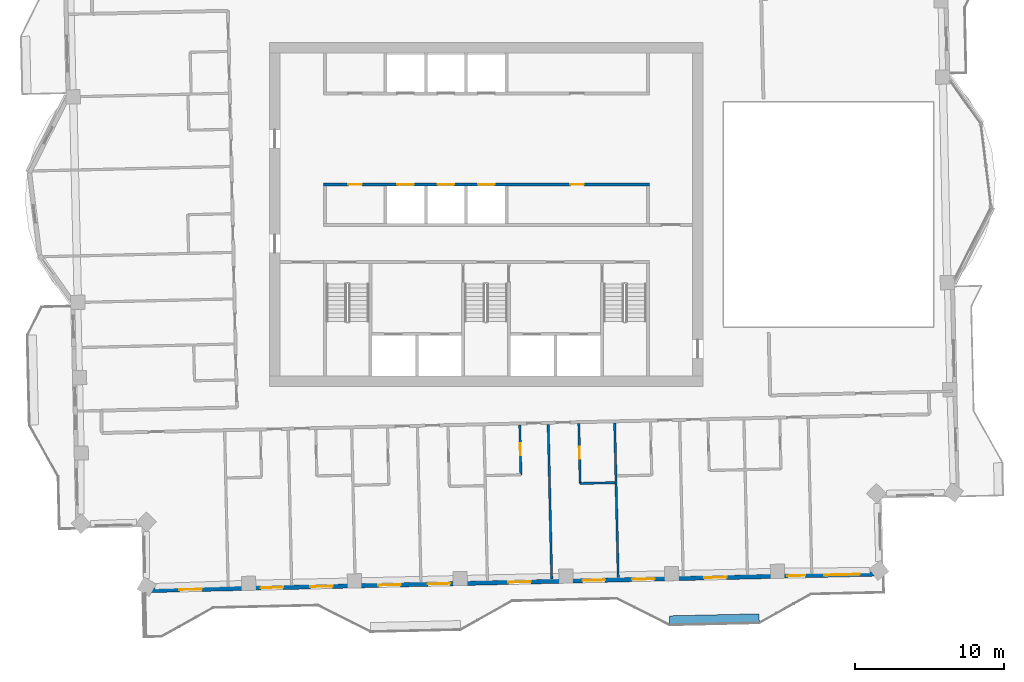
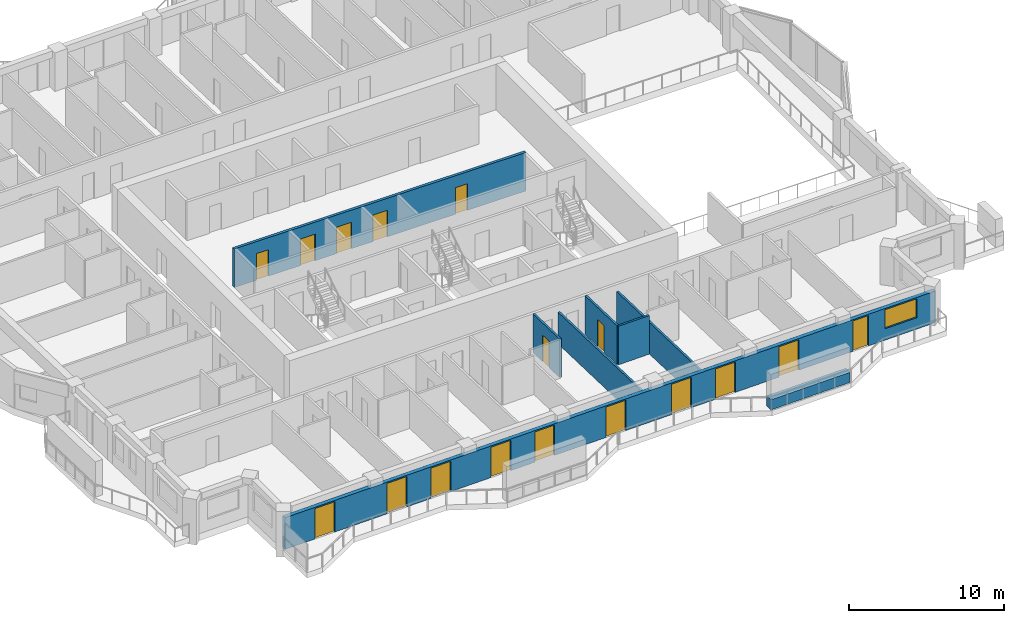
# One storey, part 10 of 20: 17 doors, 8 walls, 1 window, 18 openings.
"""IFC4 building model written with IfcOpenShell, lengths in metres."""

from ifc_helpers import new_model, si_unit, direction, frame, frame_2d, origin, place, context, subcontext, project, spatial, rectangle, extrude, material, layer, layer_set, type_object, element, fill, save


model = new_model("IFC4")

# Units and contexts
model_context = context("Model", 3, precision=1e-05, world=origin(), true_north=direction((0.0, 1.0)))
body_context = subcontext(model_context, "Body", "Model", "MODEL_VIEW")
ifc_project = project(units=[si_unit("LENGTHUNIT", "METRE"), si_unit("AREAUNIT", "SQUARE_METRE"), si_unit("VOLUMEUNIT", "CUBIC_METRE"), si_unit("PLANEANGLEUNIT", "RADIAN"), si_unit("MASSUNIT", "GRAM", prefix="KILO")], contexts=[model_context])

# Site, building, storey
site_placement = place(None, origin())
site = spatial("IfcSite", under=ifc_project, at=site_placement, CompositionType="ELEMENT")
building_placement = place(site_placement, origin())
building = spatial("IfcBuilding", under=site, at=building_placement, Name="Mangrove Gate Tower", CompositionType="ELEMENT")
storey_placement = place(building_placement, frame((0.0, 0.0, 279.89990234375)))
storey = spatial("IfcBuildingStorey", under=building, at=storey_placement, Name="L71", CompositionType="ELEMENT", Elevation=279.89990234375)

# Wall, openings, doors
ifc_material_1 = material(Name="Concrete C50/60", Category="concrete")
ifc_layer_1 = layer(ifc_material_1, 0.199951171875)
ifc_layer_set_1 = layer_set([ifc_layer_1], Name="Core shaft wall 200 C50/60")
wall_type_1 = type_object("IfcWallType", Name="Core shaft wall 200 C50/60", PredefinedType="SHEAR", material=ifc_layer_set_1)
wall_1_placement = place(storey_placement, frame((-10.89990234375, 2.0, 0.0), z_axis=(0.0, 0.0, 1.0), x_axis=(1.0, 0.0, 0.0)))
wall_1 = element("IfcWall", 1, at=wall_1_placement, inside=storey, type_object=wall_type_1, Name="WALL-L71-CORE-7", PredefinedType="SHEAR", context=body_context, shape_type="SweptSolid", body=[
    extrude(rectangle(XDim=21.7998046875, YDim=0.199951171875, at=frame_2d((10.89990234375, 0.0))), origin(), (0.0, 0.0, 1.0), 3.050048828125),
])
opening_1_placement = place(wall_1_placement, frame((4.949951171875, 0.0, 0.0)))
opening_1 = element("IfcOpeningElement", 2, at=opening_1_placement, cuts=wall_1, Name="Opening LD", PredefinedType="OPENING", context=body_context, shape_type="SweptSolid", body=[
    extrude(rectangle(XDim=1.10009765625, YDim=2.10009765625, at=frame_2d((0.550048828125, 1.050048828125))), frame((0.0, 0.10986328125, 0.0), z_axis=(0.0, -1.0, 0.0), x_axis=(1.0, 0.0, 0.0)), (0.0, 0.0, 1.0), 0.219970703125),
])
opening_2_placement = place(wall_1_placement, frame((7.64990234375, 0.0, 0.0)))
opening_2 = element("IfcOpeningElement", 3, at=opening_2_placement, cuts=wall_1, Name="Opening LD", PredefinedType="OPENING", context=body_context, shape_type="SweptSolid", body=[
    extrude(rectangle(XDim=1.10009765625, YDim=2.10009765625, at=frame_2d((0.550048828125, 1.050048828125))), frame((0.0, 0.10986328125, 0.0), z_axis=(0.0, -1.0, 0.0), x_axis=(1.0, 0.0, 0.0)), (0.0, 0.0, 1.0), 0.219970703125),
])
opening_3_placement = place(wall_1_placement, frame((10.35009765625, 0.0, 0.0)))
opening_3 = element("IfcOpeningElement", 4, at=opening_3_placement, cuts=wall_1, Name="Opening LD", PredefinedType="OPENING", context=body_context, shape_type="SweptSolid", body=[
    extrude(rectangle(XDim=1.10009765625, YDim=2.10009765625, at=frame_2d((0.550048828125, 1.050048828125))), frame((0.0, 0.10986328125, 0.0), z_axis=(0.0, -1.0, 0.0), x_axis=(1.0, 0.0, 0.0)), (0.0, 0.0, 1.0), 0.219970703125),
])
opening_4_placement = place(wall_1_placement, frame((1.675048828125, 0.0, 0.0)))
opening_4 = element("IfcOpeningElement", 5, at=opening_4_placement, cuts=wall_1, Name="Opening KD", PredefinedType="OPENING", context=body_context, shape_type="SweptSolid", body=[
    extrude(rectangle(XDim=0.89990234375, YDim=2.10009765625, at=frame_2d((0.449951171875, 1.050048828125))), frame((0.0, 0.10986328125, 0.0), z_axis=(0.0, -1.0, 0.0), x_axis=(1.0, 0.0, 0.0)), (0.0, 0.0, 1.0), 0.219970703125),
])
opening_5_placement = place(wall_1_placement, frame((16.52490234375, 0.0, 0.0)))
opening_5 = element("IfcOpeningElement", 6, at=opening_5_placement, cuts=wall_1, Name="Opening KD", PredefinedType="OPENING", context=body_context, shape_type="SweptSolid", body=[
    extrude(rectangle(XDim=0.89990234375, YDim=2.10009765625, at=frame_2d((0.449951171875, 1.050048828125))), frame((0.0, 0.10986328125, 0.0), z_axis=(0.0, -1.0, 0.0), x_axis=(1.0, 0.0, 0.0)), (0.0, 0.0, 1.0), 0.219970703125),
])
ifc_material_2 = material(Name="Fire-rated steel door set", Category="steel")
door_type_1 = type_object("IfcDoorType", Name="Core room door FD30S 900x2100", OperationType="SINGLE_SWING_RIGHT", PredefinedType="DOOR", material=ifc_material_2)
door_1_placement = place(opening_4_placement, origin())
door_1 = element("IfcDoor", 7, at=door_1_placement, inside=storey, type_object=door_type_1, Name="Core room door Pantry store", OperationType="SINGLE_SWING_RIGHT", OverallHeight=2.10009765625, OverallWidth=0.89990234375, PredefinedType="DOOR", context=body_context, shape_type="SweptSolid", body=[
    extrude(rectangle(XDim=0.89990234375, YDim=2.10009765625, at=frame_2d((0.449951171875, 1.050048828125))), frame((0.0, 0.02490234375, 0.0), z_axis=(0.0, -1.0, 0.0), x_axis=(1.0, 0.0, 0.0)), (0.0, 0.0, 1.0), 0.050048828125),
])
fill(opening_4, door_1)
door_2_placement = place(opening_5_placement, origin())
door_2 = element("IfcDoor", 8, at=door_2_placement, inside=storey, type_object=door_type_1, Name="Core room door Cleaner's store", OperationType="SINGLE_SWING_RIGHT", OverallHeight=2.10009765625, OverallWidth=0.89990234375, PredefinedType="DOOR", context=body_context, shape_type="SweptSolid", body=[
    extrude(rectangle(XDim=0.89990234375, YDim=2.10009765625, at=frame_2d((0.449951171875, 1.050048828125))), frame((0.0, 0.02490234375, 0.0), z_axis=(0.0, -1.0, 0.0), x_axis=(1.0, 0.0, 0.0)), (0.0, 0.0, 1.0), 0.050048828125),
])
fill(opening_5, door_2)
ifc_material_3 = material(Name="Stainless steel 316", Category="steel")
door_type_2 = type_object("IfcDoorType", Name="Lift landing door 1100x2100", OperationType="SLIDING_TO_LEFT", PredefinedType="DOOR", material=ifc_material_3)
door_3_placement = place(opening_1_placement, origin())
door_3 = element("IfcDoor", 9, at=door_3_placement, inside=storey, type_object=door_type_2, Name="Landing door LD H01", OperationType="SLIDING_TO_LEFT", OverallHeight=2.10009765625, OverallWidth=1.10009765625, PredefinedType="DOOR", context=body_context, shape_type="SweptSolid", body=[
    extrude(rectangle(XDim=1.10009765625, YDim=2.10009765625, at=frame_2d((0.550048828125, 1.050048828125))), frame((0.0, 0.02490234375, 0.0), z_axis=(0.0, -1.0, 0.0), x_axis=(1.0, 0.0, 0.0)), (0.0, 0.0, 1.0), 0.050048828125),
])
fill(opening_1, door_3)
door_4_placement = place(opening_2_placement, origin())
door_4 = element("IfcDoor", 10, at=door_4_placement, inside=storey, type_object=door_type_2, Name="Landing door LD H02", OperationType="SLIDING_TO_LEFT", OverallHeight=2.10009765625, OverallWidth=1.10009765625, PredefinedType="DOOR", context=body_context, shape_type="SweptSolid", body=[
    extrude(rectangle(XDim=1.10009765625, YDim=2.10009765625, at=frame_2d((0.550048828125, 1.050048828125))), frame((0.0, 0.02490234375, 0.0), z_axis=(0.0, -1.0, 0.0), x_axis=(1.0, 0.0, 0.0)), (0.0, 0.0, 1.0), 0.050048828125),
])
fill(opening_2, door_4)
door_5_placement = place(opening_3_placement, origin())
door_5 = element("IfcDoor", 11, at=door_5_placement, inside=storey, type_object=door_type_2, Name="Landing door LD H03", OperationType="SLIDING_TO_LEFT", OverallHeight=2.10009765625, OverallWidth=1.10009765625, PredefinedType="DOOR", context=body_context, shape_type="SweptSolid", body=[
    extrude(rectangle(XDim=1.10009765625, YDim=2.10009765625, at=frame_2d((0.550048828125, 1.050048828125))), frame((0.0, 0.02490234375, 0.0), z_axis=(0.0, -1.0, 0.0), x_axis=(1.0, 0.0, 0.0)), (0.0, 0.0, 1.0), 0.050048828125),
])
fill(opening_3, door_5)

# Wall, openings, doors, window
ifc_material_4 = material(Name="Limestone", Category="masonry")
ifc_layer_2 = layer(ifc_material_4, 0.0400390625, Name="Limestone cladding")
ifc_material_5 = material(Name="Ventilated air gap")
ifc_layer_3 = layer(ifc_material_5, 0.0400390625, Name="Ventilated cavity")
ifc_material_6 = material(Name="Mineral wool insulation")
ifc_layer_4 = layer(ifc_material_6, 0.06005859375, Name="Insulation")
ifc_material_7 = material(Name="Breather membrane")
ifc_layer_5 = layer(ifc_material_7, 0.001953125, Name="Breather membrane")
ifc_material_8 = material(Name="Concrete C20/25 blockwork", Category="masonry")
ifc_layer_6 = layer(ifc_material_8, 0.14990234375, Name="Blockwork backing wall")
ifc_material_9 = material(Name="Gypsum plaster")
ifc_layer_7 = layer(ifc_material_9, 0.008056640625, Name="Internal plaster")
ifc_layer_set_2 = layer_set([ifc_layer_2, ifc_layer_3, ifc_layer_4, ifc_layer_5, ifc_layer_6, ifc_layer_7], Name="External wall 300 limestone cladding")
wall_type_2 = type_object("IfcWallType", Name="External wall 300 limestone cladding", PredefinedType="SOLIDWALL", material=ifc_layer_set_2)
wall_2_placement = place(storey_placement, frame((-22.81591796875, -25.160888671875, 0.0), z_axis=(0.0, 0.0, 1.0), x_axis=(0.999742646411, 0.022685699159, 0.0)))
wall_2 = element("IfcWall", 12, at=wall_2_placement, inside=storey, type_object=wall_type_2, Name="WALL-L71-S13", PredefinedType="SOLIDWALL", context=body_context, shape_type="SweptSolid", body=[
    extrude(rectangle(XDim=49.235595703125, YDim=0.300048828125, at=frame_2d((24.61767578125, 0.0))), origin(), (0.0, 0.0, 1.0), 2.5),
])
opening_6_placement = place(wall_2_placement, frame((2.277099609375, 0.0, 0.0)))
opening_6 = element("IfcOpeningElement", 13, at=opening_6_placement, cuts=wall_2, Name="Opening BD1", PredefinedType="OPENING", context=body_context, shape_type="SweptSolid", body=[
    extrude(rectangle(XDim=1.5, YDim=2.39990234375, at=frame_2d((0.75, 1.199951171875))), frame((0.0, 0.159912109375, 0.0), z_axis=(0.0, -1.0, 0.0), x_axis=(1.0, 0.0, 0.0)), (0.0, 0.0, 1.0), 0.320068359375),
])
opening_7_placement = place(wall_2_placement, frame((7.72607421875, 0.0, 0.0)))
opening_7 = element("IfcOpeningElement", 14, at=opening_7_placement, cuts=wall_2, Name="Opening BD1", PredefinedType="OPENING", context=body_context, shape_type="SweptSolid", body=[
    extrude(rectangle(XDim=1.5, YDim=2.39990234375, at=frame_2d((0.75, 1.199951171875))), frame((0.0, 0.159912109375, 0.0), z_axis=(0.0, -1.0, 0.0), x_axis=(1.0, 0.0, 0.0)), (0.0, 0.0, 1.0), 0.320068359375),
])
opening_8_placement = place(wall_2_placement, frame((11.0390625, 0.0, 0.0)))
opening_8 = element("IfcOpeningElement", 15, at=opening_8_placement, cuts=wall_2, Name="Opening BD1", PredefinedType="OPENING", context=body_context, shape_type="SweptSolid", body=[
    extrude(rectangle(XDim=1.5, YDim=2.39990234375, at=frame_2d((0.75, 1.199951171875))), frame((0.0, 0.159912109375, 0.0), z_axis=(0.0, -1.0, 0.0), x_axis=(1.0, 0.0, 0.0)), (0.0, 0.0, 1.0), 0.320068359375),
])
opening_9_placement = place(wall_2_placement, frame((15.589111328125, 0.0, 0.0)))
opening_9 = element("IfcOpeningElement", 16, at=opening_9_placement, cuts=wall_2, Name="Opening BD1", PredefinedType="OPENING", context=body_context, shape_type="SweptSolid", body=[
    extrude(rectangle(XDim=1.5, YDim=2.39990234375, at=frame_2d((0.75, 1.199951171875))), frame((0.0, 0.159912109375, 0.0), z_axis=(0.0, -1.0, 0.0), x_axis=(1.0, 0.0, 0.0)), (0.0, 0.0, 1.0), 0.320068359375),
])
opening_10_placement = place(wall_2_placement, frame((18.903076171875, 0.0, 0.0)))
opening_10 = element("IfcOpeningElement", 17, at=opening_10_placement, cuts=wall_2, Name="Opening BD1", PredefinedType="OPENING", context=body_context, shape_type="SweptSolid", body=[
    extrude(rectangle(XDim=1.5, YDim=2.39990234375, at=frame_2d((0.75, 1.199951171875))), frame((0.0, 0.159912109375, 0.0), z_axis=(0.0, -1.0, 0.0), x_axis=(1.0, 0.0, 0.0)), (0.0, 0.0, 1.0), 0.320068359375),
])
opening_11_placement = place(wall_2_placement, frame((24.300048828125, 0.0, 0.0)))
opening_11 = element("IfcOpeningElement", 18, at=opening_11_placement, cuts=wall_2, Name="Opening BD1", PredefinedType="OPENING", context=body_context, shape_type="SweptSolid", body=[
    extrude(rectangle(XDim=1.5, YDim=2.39990234375, at=frame_2d((0.75, 1.199951171875))), frame((0.0, 0.159912109375, 0.0), z_axis=(0.0, -1.0, 0.0), x_axis=(1.0, 0.0, 0.0)), (0.0, 0.0, 1.0), 0.320068359375),
])
opening_12_placement = place(wall_2_placement, frame((29.264892578125, 0.0, 0.0)))
opening_12 = element("IfcOpeningElement", 19, at=opening_12_placement, cuts=wall_2, Name="Opening BD1", PredefinedType="OPENING", context=body_context, shape_type="SweptSolid", body=[
    extrude(rectangle(XDim=1.5, YDim=2.39990234375, at=frame_2d((0.75, 1.199951171875))), frame((0.0, 0.159912109375, 0.0), z_axis=(0.0, -1.0, 0.0), x_axis=(1.0, 0.0, 0.0)), (0.0, 0.0, 1.0), 0.320068359375),
])
opening_13_placement = place(wall_2_placement, frame((32.5791015625, 0.0, 0.0)))
opening_13 = element("IfcOpeningElement", 20, at=opening_13_placement, cuts=wall_2, Name="Opening BD1", PredefinedType="OPENING", context=body_context, shape_type="SweptSolid", body=[
    extrude(rectangle(XDim=1.5, YDim=2.39990234375, at=frame_2d((0.75, 1.199951171875))), frame((0.0, 0.159912109375, 0.0), z_axis=(0.0, -1.0, 0.0), x_axis=(1.0, 0.0, 0.0)), (0.0, 0.0, 1.0), 0.320068359375),
])
opening_14_placement = place(wall_2_placement, frame((37.39990234375, 0.0, 0.0)))
opening_14 = element("IfcOpeningElement", 21, at=opening_14_placement, cuts=wall_2, Name="Opening BD1", PredefinedType="OPENING", context=body_context, shape_type="SweptSolid", body=[
    extrude(rectangle(XDim=1.5, YDim=2.39990234375, at=frame_2d((0.75, 1.199951171875))), frame((0.0, 0.159912109375, 0.0), z_axis=(0.0, -1.0, 0.0), x_axis=(1.0, 0.0, 0.0)), (0.0, 0.0, 1.0), 0.320068359375),
])
opening_15_placement = place(wall_2_placement, frame((42.967041015625, 0.0, 0.0)))
opening_15 = element("IfcOpeningElement", 22, at=opening_15_placement, cuts=wall_2, Name="Opening BD2", PredefinedType="OPENING", context=body_context, shape_type="SweptSolid", body=[
    extrude(rectangle(XDim=1.199951171875, YDim=2.39990234375, at=frame_2d((0.60009765625, 1.199951171875))), frame((0.0, 0.159912109375, 0.0), z_axis=(0.0, -1.0, 0.0), x_axis=(1.0, 0.0, 0.0)), (0.0, 0.0, 1.0), 0.320068359375),
])
opening_16_placement = place(wall_2_placement, frame((45.4208984375, 0.0, 0.89990234375)))
opening_16 = element("IfcOpeningElement", 23, at=opening_16_placement, cuts=wall_2, Name="Opening W2", PredefinedType="OPENING", context=body_context, shape_type="SweptSolid", body=[
    extrude(rectangle(XDim=2.39990234375, YDim=1.5, at=frame_2d((1.199951171875, 0.75))), frame((0.0, 0.159912109375, 0.0), z_axis=(0.0, -1.0, 0.0), x_axis=(1.0, 0.0, 0.0)), (0.0, 0.0, 1.0), 0.320068359375),
])
ifc_material_10 = material(Name="Aluminium frame with laminated clear glass", Category="aluminium")
door_type_3 = type_object("IfcDoorType", Name="Balcony sliding door 1200x2400", OperationType="SLIDING_TO_LEFT", PredefinedType="DOOR", material=ifc_material_10)
door_6_placement = place(opening_15_placement, origin())
door_6 = element("IfcDoor", 24, at=door_6_placement, inside=storey, type_object=door_type_3, Name="DOOR-L71-S13-10", OperationType="SLIDING_TO_LEFT", OverallHeight=2.39990234375, OverallWidth=1.199951171875, PredefinedType="DOOR", context=body_context, shape_type="SweptSolid", body=[
    extrude(rectangle(XDim=1.199951171875, YDim=2.39990234375, at=frame_2d((0.60009765625, 1.199951171875))), frame((0.0, 0.02490234375, 0.0), z_axis=(0.0, -1.0, 0.0), x_axis=(1.0, 0.0, 0.0)), (0.0, 0.0, 1.0), 0.050048828125),
])
fill(opening_15, door_6)
ifc_material_11 = material(Name="Aluminium frame with laminated clear glass", Category="aluminium")
door_type_4 = type_object("IfcDoorType", Name="Balcony sliding door 1500x2400", OperationType="SLIDING_TO_LEFT", PredefinedType="DOOR", material=ifc_material_11)
door_7_placement = place(opening_6_placement, origin())
door_7 = element("IfcDoor", 25, at=door_7_placement, inside=storey, type_object=door_type_4, Name="DOOR-L71-S13-1", OperationType="SLIDING_TO_LEFT", OverallHeight=2.39990234375, OverallWidth=1.5, PredefinedType="DOOR", context=body_context, shape_type="SweptSolid", body=[
    extrude(rectangle(XDim=1.5, YDim=2.39990234375, at=frame_2d((0.75, 1.199951171875))), frame((0.0, 0.02490234375, 0.0), z_axis=(0.0, -1.0, 0.0), x_axis=(1.0, 0.0, 0.0)), (0.0, 0.0, 1.0), 0.050048828125),
])
fill(opening_6, door_7)
door_8_placement = place(opening_7_placement, origin())
door_8 = element("IfcDoor", 26, at=door_8_placement, inside=storey, type_object=door_type_4, Name="DOOR-L71-S13-2", OperationType="SLIDING_TO_LEFT", OverallHeight=2.39990234375, OverallWidth=1.5, PredefinedType="DOOR", context=body_context, shape_type="SweptSolid", body=[
    extrude(rectangle(XDim=1.5, YDim=2.39990234375, at=frame_2d((0.75, 1.199951171875))), frame((0.0, 0.02490234375, 0.0), z_axis=(0.0, -1.0, 0.0), x_axis=(1.0, 0.0, 0.0)), (0.0, 0.0, 1.0), 0.050048828125),
])
fill(opening_7, door_8)
door_9_placement = place(opening_8_placement, origin())
door_9 = element("IfcDoor", 27, at=door_9_placement, inside=storey, type_object=door_type_4, Name="DOOR-L71-S13-3", OperationType="SLIDING_TO_LEFT", OverallHeight=2.39990234375, OverallWidth=1.5, PredefinedType="DOOR", context=body_context, shape_type="SweptSolid", body=[
    extrude(rectangle(XDim=1.5, YDim=2.39990234375, at=frame_2d((0.75, 1.199951171875))), frame((0.0, 0.02490234375, 0.0), z_axis=(0.0, -1.0, 0.0), x_axis=(1.0, 0.0, 0.0)), (0.0, 0.0, 1.0), 0.050048828125),
])
fill(opening_8, door_9)
door_10_placement = place(opening_9_placement, origin())
door_10 = element("IfcDoor", 28, at=door_10_placement, inside=storey, type_object=door_type_4, Name="DOOR-L71-S13-4", OperationType="SLIDING_TO_LEFT", OverallHeight=2.39990234375, OverallWidth=1.5, PredefinedType="DOOR", context=body_context, shape_type="SweptSolid", body=[
    extrude(rectangle(XDim=1.5, YDim=2.39990234375, at=frame_2d((0.75, 1.199951171875))), frame((0.0, 0.02490234375, 0.0), z_axis=(0.0, -1.0, 0.0), x_axis=(1.0, 0.0, 0.0)), (0.0, 0.0, 1.0), 0.050048828125),
])
fill(opening_9, door_10)
door_11_placement = place(opening_10_placement, origin())
door_11 = element("IfcDoor", 29, at=door_11_placement, inside=storey, type_object=door_type_4, Name="DOOR-L71-S13-5", OperationType="SLIDING_TO_LEFT", OverallHeight=2.39990234375, OverallWidth=1.5, PredefinedType="DOOR", context=body_context, shape_type="SweptSolid", body=[
    extrude(rectangle(XDim=1.5, YDim=2.39990234375, at=frame_2d((0.75, 1.199951171875))), frame((0.0, 0.02490234375, 0.0), z_axis=(0.0, -1.0, 0.0), x_axis=(1.0, 0.0, 0.0)), (0.0, 0.0, 1.0), 0.050048828125),
])
fill(opening_10, door_11)
door_12_placement = place(opening_11_placement, origin())
door_12 = element("IfcDoor", 30, at=door_12_placement, inside=storey, type_object=door_type_4, Name="DOOR-L71-S13-6", OperationType="SLIDING_TO_LEFT", OverallHeight=2.39990234375, OverallWidth=1.5, PredefinedType="DOOR", context=body_context, shape_type="SweptSolid", body=[
    extrude(rectangle(XDim=1.5, YDim=2.39990234375, at=frame_2d((0.75, 1.199951171875))), frame((0.0, 0.02490234375, 0.0), z_axis=(0.0, -1.0, 0.0), x_axis=(1.0, 0.0, 0.0)), (0.0, 0.0, 1.0), 0.050048828125),
])
fill(opening_11, door_12)
door_13_placement = place(opening_12_placement, origin())
door_13 = element("IfcDoor", 31, at=door_13_placement, inside=storey, type_object=door_type_4, Name="DOOR-L71-S13-7", OperationType="SLIDING_TO_LEFT", OverallHeight=2.39990234375, OverallWidth=1.5, PredefinedType="DOOR", context=body_context, shape_type="SweptSolid", body=[
    extrude(rectangle(XDim=1.5, YDim=2.39990234375, at=frame_2d((0.75, 1.199951171875))), frame((0.0, 0.02490234375, 0.0), z_axis=(0.0, -1.0, 0.0), x_axis=(1.0, 0.0, 0.0)), (0.0, 0.0, 1.0), 0.050048828125),
])
fill(opening_12, door_13)
door_14_placement = place(opening_13_placement, origin())
door_14 = element("IfcDoor", 32, at=door_14_placement, inside=storey, type_object=door_type_4, Name="DOOR-L71-S13-8", OperationType="SLIDING_TO_LEFT", OverallHeight=2.39990234375, OverallWidth=1.5, PredefinedType="DOOR", context=body_context, shape_type="SweptSolid", body=[
    extrude(rectangle(XDim=1.5, YDim=2.39990234375, at=frame_2d((0.75, 1.199951171875))), frame((0.0, 0.02490234375, 0.0), z_axis=(0.0, -1.0, 0.0), x_axis=(1.0, 0.0, 0.0)), (0.0, 0.0, 1.0), 0.050048828125),
])
fill(opening_13, door_14)
door_15_placement = place(opening_14_placement, origin())
door_15 = element("IfcDoor", 33, at=door_15_placement, inside=storey, type_object=door_type_4, Name="DOOR-L71-S13-9", OperationType="SLIDING_TO_LEFT", OverallHeight=2.39990234375, OverallWidth=1.5, PredefinedType="DOOR", context=body_context, shape_type="SweptSolid", body=[
    extrude(rectangle(XDim=1.5, YDim=2.39990234375, at=frame_2d((0.75, 1.199951171875))), frame((0.0, 0.02490234375, 0.0), z_axis=(0.0, -1.0, 0.0), x_axis=(1.0, 0.0, 0.0)), (0.0, 0.0, 1.0), 0.050048828125),
])
fill(opening_14, door_15)
ifc_material_12 = material(Name="Aluminium frame with double-glazed low-e glass", Category="aluminium")
window_type = type_object("IfcWindowType", Name="Corner room window 2400x1500", PartitioningType="DOUBLE_PANEL_VERTICAL", PredefinedType="WINDOW", material=ifc_material_12)
window_placement = place(opening_16_placement, origin())
window = element("IfcWindow", 34, at=window_placement, inside=storey, type_object=window_type, Name="WIN-L71-S13-11", OverallHeight=1.5, OverallWidth=2.39990234375, PartitioningType="DOUBLE_PANEL_VERTICAL", PredefinedType="WINDOW", context=body_context, shape_type="SweptSolid", body=[
    extrude(rectangle(XDim=2.39990234375, YDim=1.5, at=frame_2d((1.199951171875, 0.75))), frame((0.0, 0.030029296875, 0.0), z_axis=(0.0, -1.0, 0.0), x_axis=(1.0, 0.0, 0.0)), (0.0, 0.0, 1.0), 0.06005859375),
])
fill(opening_16, window)

# Walls
ifc_material_13 = material(Name="Gypsum board on steel stud, EI 60", Category="steel")
ifc_layer_8 = layer(ifc_material_13, 0.14990234375)
ifc_layer_set_3 = layer_set([ifc_layer_8], Name="Party wall 150 EI 60")
wall_type_3 = type_object("IfcWallType", Name="Party wall 150 EI 60", PredefinedType="PARTITIONING", material=ifc_layer_set_3)
wall_3_placement = place(storey_placement, frame((4.3720703125, -24.39404296875, 0.0), z_axis=(0.0, 0.0, 1.0), x_axis=(-0.022713904397, 0.999742005993, 0.0)))
element("IfcWall", 35, at=wall_3_placement, inside=storey, type_object=wall_type_3, Name="WALL-L71-006", PredefinedType="PARTITIONING", context=body_context, shape_type="SweptSolid", body=[
    extrude(rectangle(XDim=10.350830078125, YDim=0.14990234375, at=frame_2d((5.17529296875, 0.0))), origin(), (0.0, 0.0, 1.0), 2.5),
])
wall_4_placement = place(storey_placement, frame((8.820068359375, -24.29296875, 0.0), z_axis=(0.0, 0.0, 1.0), x_axis=(-0.022622273571, 0.999744083623, 0.0)))
element("IfcWall", 36, at=wall_4_placement, inside=storey, type_object=wall_type_3, Name="WALL-L71-007", PredefinedType="PARTITIONING", context=body_context, shape_type="SweptSolid", body=[
    extrude(rectangle(XDim=10.349609375, YDim=0.14990234375, at=frame_2d((5.1748046875, 0.0))), origin(), (0.0, 0.0, 1.0), 2.5),
])

# Wall, opening, door
wall_5_placement = place(storey_placement, frame((6.277099609375, -17.9990234375, 0.0), z_axis=(0.0, 0.0, 1.0), x_axis=(-0.022765770952, 0.999740826251, 0.0)))
wall_5 = element("IfcWall", 37, at=wall_5_placement, inside=storey, type_object=wall_type_3, Name="WALL-L71-013", PredefinedType="PARTITIONING", context=body_context, shape_type="SweptSolid", body=[
    extrude(rectangle(XDim=4.0, YDim=0.14990234375, at=frame_2d((2.0, 0.0))), origin(), (0.0, 0.0, 1.0), 3.050048828125),
])
opening_17_placement = place(wall_5_placement, frame((1.64990234375, 0.0, 0.0)))
opening_17 = element("IfcOpeningElement", 38, at=opening_17_placement, cuts=wall_5, Name="Opening ED", PredefinedType="OPENING", context=body_context, shape_type="SweptSolid", body=[
    extrude(rectangle(XDim=0.800048828125, YDim=2.10009765625, at=frame_2d((0.39990234375, 1.050048828125))), frame((0.0, 0.0849609375, 0.0), z_axis=(0.0, -1.0, 0.0), x_axis=(1.0, 0.0, 0.0)), (0.0, 0.0, 1.0), 0.169921875),
])
ifc_material_14 = material(Name="Timber door leaf", Category="wood")
door_type_5 = type_object("IfcDoorType", Name="En-suite door 800", OperationType="SINGLE_SWING_LEFT", PredefinedType="DOOR", material=ifc_material_14)
door_16_placement = place(opening_17_placement, origin())
door_16 = element("IfcDoor", 39, at=door_16_placement, inside=storey, type_object=door_type_5, Name="DOOR-L71-ENS-c206", OperationType="SINGLE_SWING_RIGHT", OverallHeight=2.10009765625, OverallWidth=0.800048828125, PredefinedType="DOOR", context=body_context, shape_type="SweptSolid", body=[
    extrude(rectangle(XDim=0.800048828125, YDim=2.10009765625, at=frame_2d((0.39990234375, 1.050048828125))), frame((0.0, 0.02490234375, 0.0), z_axis=(0.0, -1.0, 0.0), x_axis=(1.0, 0.0, 0.0)), (0.0, 0.0, 1.0), 0.050048828125),
])
fill(opening_17, door_16)

# Wall
wall_6_placement = place(storey_placement, frame((6.279052734375, -17.9990234375, 0.0), z_axis=(0.0, 0.0, 1.0), x_axis=(0.999740260747, 0.02279059109, 0.0)))
element("IfcWall", 40, at=wall_6_placement, inside=storey, type_object=wall_type_3, Name="WALL-L71-014", PredefinedType="PARTITIONING", context=body_context, shape_type="SweptSolid", body=[
    extrude(rectangle(XDim=2.324462890625, YDim=0.14990234375, at=frame_2d((1.162109375, 0.0))), origin(), (0.0, 0.0, 1.0), 3.050048828125),
])

# Wall, opening, door
wall_7_placement = place(storey_placement, frame((2.31298828125, -17.4189453125, 0.0), z_axis=(0.0, 0.0, 1.0), x_axis=(-0.02280301672, 0.999739977408, 0.0)))
wall_7 = element("IfcWall", 41, at=wall_7_placement, inside=storey, type_object=wall_type_3, Name="WALL-L71-020", PredefinedType="PARTITIONING", context=body_context, shape_type="SweptSolid", body=[
    extrude(rectangle(XDim=3.329833984375, YDim=0.14990234375, at=frame_2d((1.6650390625, 0.0))), origin(), (0.0, 0.0, 1.0), 3.050048828125),
])
opening_18_placement = place(wall_7_placement, frame((1.31494140625, 0.0, 0.0)))
opening_18 = element("IfcOpeningElement", 42, at=opening_18_placement, cuts=wall_7, Name="Opening ED", PredefinedType="OPENING", context=body_context, shape_type="SweptSolid", body=[
    extrude(rectangle(XDim=0.800048828125, YDim=2.10009765625, at=frame_2d((0.39990234375, 1.050048828125))), frame((0.0, 0.0849609375, 0.0), z_axis=(0.0, -1.0, 0.0), x_axis=(1.0, 0.0, 0.0)), (0.0, 0.0, 1.0), 0.169921875),
])
door_17_placement = place(opening_18_placement, origin())
door_17 = element("IfcDoor", 43, at=door_17_placement, inside=storey, type_object=door_type_5, Name="DOOR-L71-ENS-c205", OperationType="SINGLE_SWING_LEFT", OverallHeight=2.10009765625, OverallWidth=0.800048828125, PredefinedType="DOOR", context=body_context, shape_type="SweptSolid", body=[
    extrude(rectangle(XDim=0.800048828125, YDim=2.10009765625, at=frame_2d((0.39990234375, 1.050048828125))), frame((0.0, 0.02490234375, 0.0), z_axis=(0.0, -1.0, 0.0), x_axis=(1.0, 0.0, 0.0)), (0.0, 0.0, 1.0), 0.050048828125),
])
fill(opening_18, door_17)

# Wall
ifc_material_15 = material(Name="Concrete C32/40", Category="concrete")
ifc_layer_9 = layer(ifc_material_15, 0.199951171875, Name="Planter trough wall")
ifc_material_16 = material(Name="Bituminous waterproofing membrane")
ifc_layer_10 = layer(ifc_material_16, 0.0048828125, Name="Waterproofing")
ifc_material_17 = material(Name="Drainage board and gravel")
ifc_layer_11 = layer(ifc_material_17, 0.044921875, Name="Drainage layer")
ifc_material_18 = material(Name="Planting soil")
ifc_layer_12 = layer(ifc_material_18, 0.300048828125, Name="Growing medium")
ifc_layer_set_4 = layer_set([ifc_layer_9, ifc_layer_10, ifc_layer_11, ifc_layer_12], Name="Planter wall 550 C32/40")
wall_type_4 = type_object("IfcWallType", Name="Planter wall 550 C32/40", PredefinedType="USERDEFINED", material=ifc_layer_set_4)
wall_8_placement = place(storey_placement, frame((12.256103515625, -27.131103515625, 0.0), z_axis=(0.0, 0.0, 1.0), x_axis=(0.999743073592, 0.022666865795, 0.0)))
element("IfcWall", 44, at=wall_8_placement, inside=storey, type_object=wall_type_4, Name="PLANTER L71 S1.1", ObjectType="PLANTER", PredefinedType="USERDEFINED", context=body_context, shape_type="SweptSolid", body=[
    extrude(rectangle(XDim=5.999267578125, YDim=0.550048828125, at=frame_2d((2.99951171875, 0.0))), origin(), (0.0, 0.0, 1.0), 0.800048828125),
])

save(model, "model.ifc")
